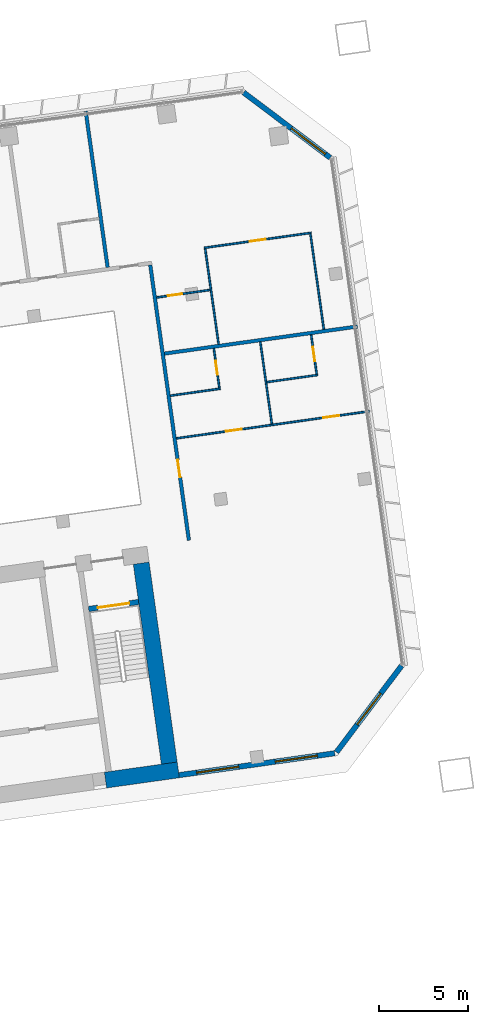
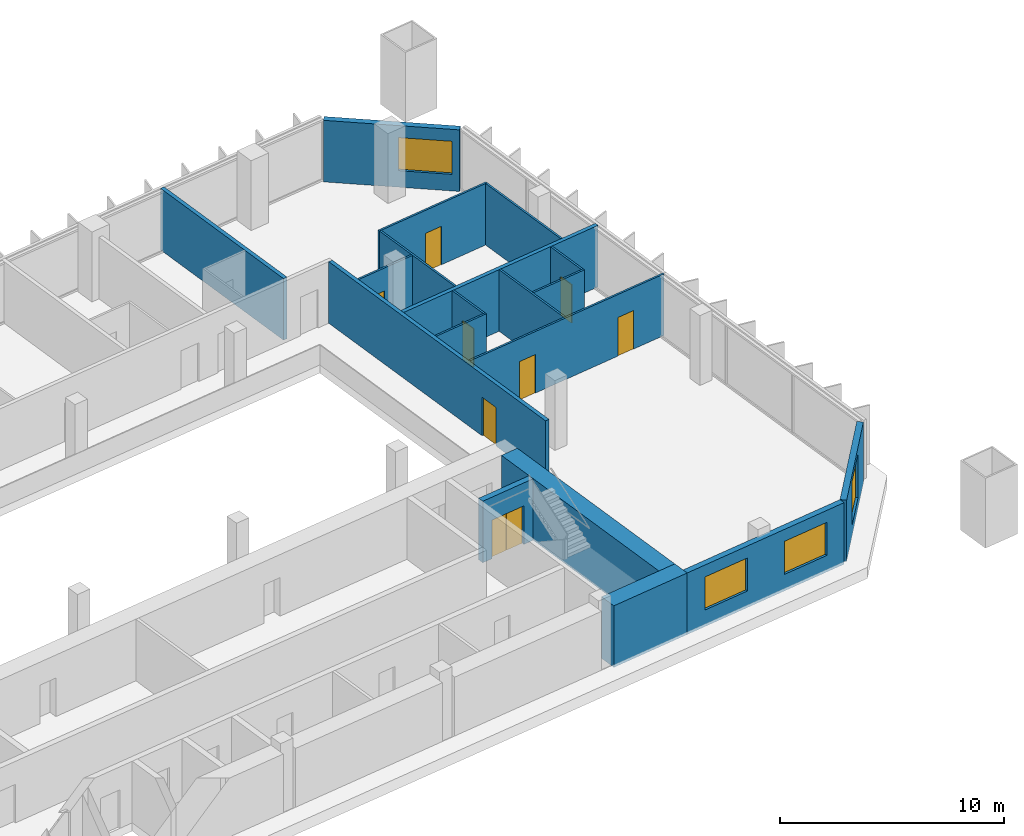
# One storey, part 21 of 24: 19 walls, 8 doors, 4 windows, 12 openings.
"""IFC4 building model written with IfcOpenShell, lengths in metres."""

from ifc_helpers import new_model, si_unit, direction, frame, frame_2d, origin, place, context, subcontext, project, spatial, rectangle, extrude, material, layer, layer_set, type_object, element, fill, save


model = new_model("IFC4")

# Units and contexts
model_context = context("Model", 3, precision=1e-05, world=origin(), true_north=direction((0.0, 1.0)))
body_context = subcontext(model_context, "Body", "Model", "MODEL_VIEW")
ifc_project = project(units=[si_unit("LENGTHUNIT", "METRE"), si_unit("AREAUNIT", "SQUARE_METRE"), si_unit("VOLUMEUNIT", "CUBIC_METRE"), si_unit("PLANEANGLEUNIT", "RADIAN"), si_unit("MASSUNIT", "GRAM", prefix="KILO")], contexts=[model_context])

# Site, building, storey
site_placement = place(None, origin())
site = spatial("IfcSite", under=ifc_project, at=site_placement, CompositionType="ELEMENT")
building_placement = place(site_placement, origin())
building = spatial("IfcBuilding", under=site, at=building_placement, Name="Mirante Cascada Hotel Towers", CompositionType="ELEMENT")
storey_placement = place(building_placement, frame((0.0, 0.0, 85.1)))
storey = spatial("IfcBuildingStorey", under=building, at=storey_placement, Name="L18", CompositionType="ELEMENT", Elevation=85.1)

# Walls
ifc_material_1 = material(Name="Fire-rated plasterboard on metal studs")
ifc_layer_1 = layer(ifc_material_1, 0.2)
ifc_layer_set_1 = layer_set([ifc_layer_1], Name="Compartment wall 200 EI 120")
wall_type_1 = type_object("IfcWallType", Name="Compartment wall 200 EI 120", PredefinedType="PARTITIONING", material=ifc_layer_set_1)
wall_1_placement = place(storey_placement, frame((89.7337, 11.2758, 0.0), z_axis=(0.0, 0.0, 1.0), x_axis=(0.990268, 0.1391733, 0.0)))
element("IfcWall", 1, at=wall_1_placement, inside=storey, type_object=wall_type_1, Name="Wall 2-L18-09", PredefinedType="PARTITIONING", context=body_context, shape_type="SweptSolid", body=[
    extrude(rectangle(XDim=11.0, YDim=0.2, at=frame_2d((5.5, 0.0))), origin(), (0.0, 0.0, 1.0), 3.35),
])
wall_2_placement = place(storey_placement, frame((85.2864, 24.9567, 0.0), z_axis=(0.0, 0.0, 1.0), x_axis=(0.1391684, -0.9902687, 0.0)))
element("IfcWall", 2, at=wall_2_placement, inside=storey, type_object=wall_type_1, Name="Wall 2-L18-48", PredefinedType="PARTITIONING", context=body_context, shape_type="SweptSolid", body=[
    extrude(rectangle(XDim=8.9, YDim=0.2, at=frame_2d((4.45, 0.0))), origin(), (0.0, 0.0, 1.0), 3.35),
])

# Wall, opening, door
wall_3_placement = place(storey_placement, frame((91.1145, 0.7321, 0.0), z_axis=(0.0, 0.0, 1.0), x_axis=(-0.1391721, 0.9902682, 0.0)))
wall_3 = element("IfcWall", 3, at=wall_3_placement, inside=storey, type_object=wall_type_1, Name="Wall 2-L18-49", PredefinedType="PARTITIONING", context=body_context, shape_type="SweptSolid", body=[
    extrude(rectangle(XDim=15.7, YDim=0.2, at=frame_2d((7.85, 0.0))), origin(), (0.0, 0.0, 1.0), 3.35),
])
opening_1_placement = place(wall_3_placement, frame((3.6, 0.0, 0.0)))
opening_1 = element("IfcOpeningElement", 4, at=opening_1_placement, cuts=wall_3, Name="Opening D2-L18-31", PredefinedType="OPENING", context=body_context, shape_type="SweptSolid", body=[
    extrude(rectangle(XDim=1.0, YDim=2.1, at=frame_2d((0.5, 1.05))), frame((0.0, 0.1, 0.0), z_axis=(0.0, -1.0, 0.0), x_axis=(1.0, 0.0, 0.0)), (0.0, 0.0, 1.0), 0.2),
])
ifc_material_2 = material(Name="Fire-rated timber door leaf", Category="wood")
door_type_1 = type_object("IfcDoorType", Name="Entrance door DG1 1000x2100 EI 60", OperationType="SINGLE_SWING_LEFT", PredefinedType="DOOR", material=ifc_material_2)
door_1_placement = place(opening_1_placement, frame((1.0, 0.0, 0.0), z_axis=(0.0, 0.0, 1.0), x_axis=(-1.0, 0.0, 0.0)))
door_1 = element("IfcDoor", 5, at=door_1_placement, inside=storey, type_object=door_type_1, Name="Door D2-L18-31", OperationType="SINGLE_SWING_RIGHT", OverallHeight=2.1, OverallWidth=1.0, PredefinedType="DOOR", context=body_context, shape_type="SweptSolid", body=[
    extrude(rectangle(XDim=1.0, YDim=2.1, at=frame_2d((0.5, 1.05))), frame((0.0, 0.025, 0.0), z_axis=(0.0, -1.0, 0.0), x_axis=(1.0, 0.0, 0.0)), (0.0, 0.0, 1.0), 0.05),
])
fill(opening_1, door_1)

# Wall, openings, doors
ifc_material_3 = material(Name="Plasterboard on metal studs")
ifc_layer_2 = layer(ifc_material_3, 0.1)
ifc_layer_set_2 = layer_set([ifc_layer_2], Name="Partition 100")
wall_type_2 = type_object("IfcWallType", Name="Partition 100", PredefinedType="PARTITIONING", material=ifc_layer_set_2)
wall_4_placement = place(storey_placement, frame((90.4064, 6.4896, 0.0), z_axis=(0.0, 0.0, 1.0), x_axis=(0.990268, 0.1391733, 0.0)))
wall_4 = element("IfcWall", 6, at=wall_4_placement, inside=storey, type_object=wall_type_2, Name="Wall 2-L18-05", PredefinedType="PARTITIONING", context=body_context, shape_type="SweptSolid", body=[
    extrude(rectangle(XDim=11.0, YDim=0.1, at=frame_2d((5.5, 0.0))), origin(), (0.0, 0.0, 1.0), 3.35),
])
opening_2_placement = place(wall_4_placement, frame((2.825, 0.0, 0.0)))
opening_2 = element("IfcOpeningElement", 7, at=opening_2_placement, cuts=wall_4, Name="Opening D2-L18-03", PredefinedType="OPENING", context=body_context, shape_type="SweptSolid", body=[
    extrude(rectangle(XDim=0.9, YDim=2.1, at=frame_2d((0.45, 1.05))), frame((0.0, 0.05, 0.0), z_axis=(0.0, -1.0, 0.0), x_axis=(1.0, 0.0, 0.0)), (0.0, 0.0, 1.0), 0.1),
])
opening_3_placement = place(wall_4_placement, frame((8.375, 0.0, 0.0)))
opening_3 = element("IfcOpeningElement", 8, at=opening_3_placement, cuts=wall_4, Name="Opening D2-L18-04", PredefinedType="OPENING", context=body_context, shape_type="SweptSolid", body=[
    extrude(rectangle(XDim=0.9, YDim=2.1, at=frame_2d((0.45, 1.05))), frame((0.0, 0.05, 0.0), z_axis=(0.0, -1.0, 0.0), x_axis=(1.0, 0.0, 0.0)), (0.0, 0.0, 1.0), 0.1),
])
ifc_material_4 = material(Name="Timber door leaf", Category="wood")
door_type_2 = type_object("IfcDoorType", Name="Room door DG3 900x2100", OperationType="SINGLE_SWING_LEFT", PredefinedType="DOOR", material=ifc_material_4)
door_2_placement = place(opening_2_placement, frame((0.9, 0.0, 0.0), z_axis=(0.0, 0.0, 1.0), x_axis=(-1.0, 0.0, 0.0)))
door_2 = element("IfcDoor", 9, at=door_2_placement, inside=storey, type_object=door_type_2, Name="Door D2-L18-03", OperationType="SINGLE_SWING_RIGHT", OverallHeight=2.1, OverallWidth=0.9, PredefinedType="DOOR", context=body_context, shape_type="SweptSolid", body=[
    extrude(rectangle(XDim=0.9, YDim=2.1, at=frame_2d((0.45, 1.05))), frame((0.0, 0.025, 0.0), z_axis=(0.0, -1.0, 0.0), x_axis=(1.0, 0.0, 0.0)), (0.0, 0.0, 1.0), 0.05),
])
fill(opening_2, door_2)
door_3_placement = place(opening_3_placement, frame((0.9, 0.0, 0.0), z_axis=(0.0, 0.0, 1.0), x_axis=(-1.0, 0.0, 0.0)))
door_3 = element("IfcDoor", 10, at=door_3_placement, inside=storey, type_object=door_type_2, Name="Door D2-L18-04", OperationType="SINGLE_SWING_RIGHT", OverallHeight=2.1, OverallWidth=0.9, PredefinedType="DOOR", context=body_context, shape_type="SweptSolid", body=[
    extrude(rectangle(XDim=0.9, YDim=2.1, at=frame_2d((0.45, 1.05))), frame((0.0, 0.025, 0.0), z_axis=(0.0, -1.0, 0.0), x_axis=(1.0, 0.0, 0.0)), (0.0, 0.0, 1.0), 0.05),
])
fill(opening_3, door_3)

# Walls
wall_5_placement = place(storey_placement, frame((92.89, 9.2958, 0.0), z_axis=(0.0, 0.0, 1.0), x_axis=(-0.9902704, -0.1391564, 0.0)))
element("IfcWall", 11, at=wall_5_placement, inside=storey, type_object=wall_type_2, Name="Wall 2-L18-06", PredefinedType="PARTITIONING", context=body_context, shape_type="SweptSolid", body=[
    extrude(rectangle(XDim=2.85, YDim=0.1, at=frame_2d((1.425, 0.0))), origin(), (0.0, 0.0, 1.0), 3.35),
])
wall_6_placement = place(storey_placement, frame((95.5142, 9.6646, 0.0), z_axis=(0.0, 0.0, 1.0), x_axis=(0.9902683, 0.1391714, 0.0)))
element("IfcWall", 12, at=wall_6_placement, inside=storey, type_object=wall_type_2, Name="Wall 2-L18-07", PredefinedType="PARTITIONING", context=body_context, shape_type="SweptSolid", body=[
    extrude(rectangle(XDim=2.9, YDim=0.1, at=frame_2d((1.45, 0.0))), origin(), (0.0, 0.0, 1.0), 3.35),
])

# Wall, opening, door
wall_7_placement = place(storey_placement, frame((92.3087, 14.8692, 0.0), z_axis=(0.0, 0.0, 1.0), x_axis=(-0.9902676, -0.1391765, 0.0)))
wall_7 = element("IfcWall", 13, at=wall_7_placement, inside=storey, type_object=wall_type_2, Name="Wall 2-L18-12", PredefinedType="PARTITIONING", context=body_context, shape_type="SweptSolid", body=[
    extrude(rectangle(XDim=3.0501, YDim=0.1, at=frame_2d((1.525, 0.0))), origin(), (0.0, 0.0, 1.0), 3.35),
])
opening_4_placement = place(wall_7_placement, frame((1.6, 0.0, 0.0)))
opening_4 = element("IfcOpeningElement", 14, at=opening_4_placement, cuts=wall_7, Name="Opening D2-L18-05", PredefinedType="OPENING", context=body_context, shape_type="SweptSolid", body=[
    extrude(rectangle(XDim=0.8, YDim=2.1, at=frame_2d((0.4, 1.05))), frame((0.0, 0.05, 0.0), z_axis=(0.0, -1.0, 0.0), x_axis=(1.0, 0.0, 0.0)), (0.0, 0.0, 1.0), 0.1),
])
ifc_material_5 = material(Name="Timber door leaf", Category="wood")
door_type_3 = type_object("IfcDoorType", Name="Bathroom door DG4 800x2100", OperationType="SINGLE_SWING_LEFT", PredefinedType="DOOR", material=ifc_material_5)
door_4_placement = place(opening_4_placement, frame((0.8, 0.0, 0.0), z_axis=(0.0, 0.0, 1.0), x_axis=(-1.0, 0.0, 0.0)))
door_4 = element("IfcDoor", 15, at=door_4_placement, inside=storey, type_object=door_type_3, Name="Door D2-L18-05", OperationType="SINGLE_SWING_RIGHT", OverallHeight=2.1, OverallWidth=0.8, PredefinedType="DOOR", context=body_context, shape_type="SweptSolid", body=[
    extrude(rectangle(XDim=0.8, YDim=2.1, at=frame_2d((0.4, 1.05))), frame((0.0, 0.025, 0.0), z_axis=(0.0, -1.0, 0.0), x_axis=(1.0, 0.0, 0.0)), (0.0, 0.0, 1.0), 0.05),
])
fill(opening_4, door_4)

wall_8_placement = place(storey_placement, frame((91.9746, 17.2458, 0.0), z_axis=(0.0, 0.0, 1.0), x_axis=(0.9902673, 0.1391787, 0.0)))
wall_8 = element("IfcWall", 16, at=wall_8_placement, inside=storey, type_object=wall_type_2, Name="Wall 2-L18-15", PredefinedType="PARTITIONING", context=body_context, shape_type="SweptSolid", body=[
    extrude(rectangle(XDim=6.1001, YDim=0.1, at=frame_2d((3.05, 0.0))), origin(), (0.0, 0.0, 1.0), 3.35),
])
opening_5_placement = place(wall_8_placement, frame((2.6, 0.0, 0.0)))
opening_5 = element("IfcOpeningElement", 17, at=opening_5_placement, cuts=wall_8, Name="Opening D2-L18-17", PredefinedType="OPENING", context=body_context, shape_type="SweptSolid", body=[
    extrude(rectangle(XDim=0.9, YDim=2.1, at=frame_2d((0.45, 1.05))), frame((0.0, 0.05, 0.0), z_axis=(0.0, -1.0, 0.0), x_axis=(1.0, 0.0, 0.0)), (0.0, 0.0, 1.0), 0.1),
])
door_5_placement = place(opening_5_placement, origin())
door_5 = element("IfcDoor", 18, at=door_5_placement, inside=storey, type_object=door_type_2, Name="Door D2-L18-17", OperationType="SINGLE_SWING_LEFT", OverallHeight=2.1, OverallWidth=0.9, PredefinedType="DOOR", context=body_context, shape_type="SweptSolid", body=[
    extrude(rectangle(XDim=0.9, YDim=2.1, at=frame_2d((0.45, 1.05))), frame((0.0, 0.025, 0.0), z_axis=(0.0, -1.0, 0.0), x_axis=(1.0, 0.0, 0.0)), (0.0, 0.0, 1.0), 0.05),
])
fill(opening_5, door_5)

wall_9_placement = place(storey_placement, frame((92.5204, 11.5665, 0.0), z_axis=(0.0, 0.0, 1.0), x_axis=(0.1391561, -0.9902705, 0.0)))
wall_9 = element("IfcWall", 19, at=wall_9_placement, inside=storey, type_object=wall_type_2, Name="Wall 2-L18-50", PredefinedType="PARTITIONING", context=body_context, shape_type="SweptSolid", body=[
    extrude(rectangle(XDim=2.25, YDim=0.1, at=frame_2d((1.125, 0.0))), origin(), (0.0, 0.0, 1.0), 3.35),
])
opening_6_placement = place(wall_9_placement, frame((0.7, 0.0, 0.0)))
opening_6 = element("IfcOpeningElement", 20, at=opening_6_placement, cuts=wall_9, Name="Opening D2-L18-32", PredefinedType="OPENING", context=body_context, shape_type="SweptSolid", body=[
    extrude(rectangle(XDim=0.8, YDim=2.1, at=frame_2d((0.4, 1.05))), frame((0.0, 0.05, 0.0), z_axis=(0.0, -1.0, 0.0), x_axis=(1.0, 0.0, 0.0)), (0.0, 0.0, 1.0), 0.1),
])
door_6_placement = place(opening_6_placement, frame((0.8, 0.0, 0.0), z_axis=(0.0, 0.0, 1.0), x_axis=(-1.0, 0.0, 0.0)))
door_6 = element("IfcDoor", 21, at=door_6_placement, inside=storey, type_object=door_type_3, Name="Door D2-L18-32", OperationType="SINGLE_SWING_RIGHT", OverallHeight=2.1, OverallWidth=0.8, PredefinedType="DOOR", context=body_context, shape_type="SweptSolid", body=[
    extrude(rectangle(XDim=0.8, YDim=2.1, at=frame_2d((0.4, 1.05))), frame((0.0, 0.025, 0.0), z_axis=(0.0, -1.0, 0.0), x_axis=(1.0, 0.0, 0.0)), (0.0, 0.0, 1.0), 0.05),
])
fill(opening_6, door_6)

# Walls
wall_10_placement = place(storey_placement, frame((92.7896, 11.8063, 0.0), z_axis=(0.0, 0.0, 1.0), x_axis=(-0.1391758, 0.9902677, 0.0)))
element("IfcWall", 22, at=wall_10_placement, inside=storey, type_object=wall_type_2, Name="Wall 2-L18-51", PredefinedType="PARTITIONING", context=body_context, shape_type="SweptSolid", body=[
    extrude(rectangle(XDim=5.4499, YDim=0.1, at=frame_2d((2.725, 0.0))), origin(), (0.0, 0.0, 1.0), 3.35),
])
wall_11_placement = place(storey_placement, frame((95.1446, 11.9353, 0.0), z_axis=(0.0, 0.0, 1.0), x_axis=(0.139176, -0.9902677, 0.0)))
element("IfcWall", 23, at=wall_11_placement, inside=storey, type_object=wall_type_2, Name="Wall 2-L18-52", PredefinedType="PARTITIONING", context=body_context, shape_type="SweptSolid", body=[
    extrude(rectangle(XDim=4.6833, YDim=0.1, at=frame_2d((2.3416, 0.0))), origin(), (0.0, 0.0, 1.0), 3.35),
])

# Wall, opening, door
wall_12_placement = place(storey_placement, frame((98.3295, 10.1108, 0.0), z_axis=(0.0, 0.0, 1.0), x_axis=(-0.1391997, 0.9902643, 0.0)))
wall_12 = element("IfcWall", 24, at=wall_12_placement, inside=storey, type_object=wall_type_2, Name="Wall 2-L18-53", PredefinedType="PARTITIONING", context=body_context, shape_type="SweptSolid", body=[
    extrude(rectangle(XDim=2.25, YDim=0.1, at=frame_2d((1.125, 0.0))), origin(), (0.0, 0.0, 1.0), 3.35),
])
opening_7_placement = place(wall_12_placement, frame((0.75, 0.0, 0.0)))
opening_7 = element("IfcOpeningElement", 25, at=opening_7_placement, cuts=wall_12, Name="Opening D2-L18-33", PredefinedType="OPENING", context=body_context, shape_type="SweptSolid", body=[
    extrude(rectangle(XDim=0.8, YDim=2.1, at=frame_2d((0.4, 1.05))), frame((0.0, 0.05, 0.0), z_axis=(0.0, -1.0, 0.0), x_axis=(1.0, 0.0, 0.0)), (0.0, 0.0, 1.0), 0.1),
])
door_7_placement = place(opening_7_placement, origin())
door_7 = element("IfcDoor", 26, at=door_7_placement, inside=storey, type_object=door_type_3, Name="Door D2-L18-33", OperationType="SINGLE_SWING_LEFT", OverallHeight=2.1, OverallWidth=0.8, PredefinedType="DOOR", context=body_context, shape_type="SweptSolid", body=[
    extrude(rectangle(XDim=0.8, YDim=2.1, at=frame_2d((0.4, 1.05))), frame((0.0, 0.025, 0.0), z_axis=(0.0, -1.0, 0.0), x_axis=(1.0, 0.0, 0.0)), (0.0, 0.0, 1.0), 0.05),
])
fill(opening_7, door_7)

# Wall
wall_13_placement = place(storey_placement, frame((97.9727, 18.0383, 0.0), z_axis=(0.0, 0.0, 1.0), x_axis=(0.1391733, -0.990268, 0.0)))
element("IfcWall", 27, at=wall_13_placement, inside=storey, type_object=wall_type_2, Name="Wall 2-L18-54", PredefinedType="PARTITIONING", context=body_context, shape_type="SweptSolid", body=[
    extrude(rectangle(XDim=5.45, YDim=0.1, at=frame_2d((2.725, 0.0))), origin(), (0.0, 0.0, 1.0), 3.35),
])

# Wall, openings, windows
ifc_material_6 = material(Name="Precast concrete C40/50", Category="concrete")
ifc_layer_3 = layer(ifc_material_6, 0.3)
ifc_layer_set_3 = layer_set([ifc_layer_3], Name="Precast concrete C40/50 cladding wall 300")
wall_type_3 = type_object("IfcWallType", Name="Precast concrete C40/50 cladding wall 300", PredefinedType="STANDARD", material=ifc_layer_set_3)
wall_14_placement = place(storey_placement, frame((90.5541, -12.5249, 0.0), z_axis=(0.0, 0.0, 1.0), x_axis=(0.9902676, 0.1391765, 0.0)))
wall_14 = element("IfcWall", 28, at=wall_14_placement, inside=storey, type_object=wall_type_3, Name="Rear cladding wall T2 L18 1", PredefinedType="STANDARD", context=body_context, shape_type="SweptSolid", body=[
    extrude(rectangle(XDim=8.8758, YDim=0.3, at=frame_2d((4.4379, 0.0))), origin(), (0.0, 0.0, 1.0), 3.35),
])
opening_8_placement = place(wall_14_placement, frame((1.0012, 0.0, 0.9)))
opening_8 = element("IfcOpeningElement", 29, at=opening_8_placement, cuts=wall_14, Name="Opening W2-18-01", PredefinedType="OPENING", context=body_context, shape_type="SweptSolid", body=[
    extrude(rectangle(XDim=2.4, YDim=1.8, at=frame_2d((1.2, 0.9))), frame((0.0, 0.15, 0.0), z_axis=(0.0, -1.0, 0.0), x_axis=(1.0, 0.0, 0.0)), (0.0, 0.0, 1.0), 0.3),
])
opening_9_placement = place(wall_14_placement, frame((5.4923, 0.0, 0.9)))
opening_9 = element("IfcOpeningElement", 30, at=opening_9_placement, cuts=wall_14, Name="Opening W2-18-02", PredefinedType="OPENING", context=body_context, shape_type="SweptSolid", body=[
    extrude(rectangle(XDim=2.4, YDim=1.8, at=frame_2d((1.2, 0.9))), frame((0.0, 0.15, 0.0), z_axis=(0.0, -1.0, 0.0), x_axis=(1.0, 0.0, 0.0)), (0.0, 0.0, 1.0), 0.3),
])
ifc_material_7 = material(Name="Aluminium frame with clear double glazing", Category="aluminium")
window_type_1 = type_object("IfcWindowType", Name="Punched window 2400x1800", PartitioningType="DOUBLE_PANEL_VERTICAL", PredefinedType="WINDOW", material=ifc_material_7)
window_1_placement = place(opening_8_placement, origin())
window_1 = element("IfcWindow", 31, at=window_1_placement, inside=storey, type_object=window_type_1, Name="Window W2-18-01", OverallHeight=1.8, OverallWidth=2.4, PartitioningType="SINGLE_PANEL", PredefinedType="WINDOW", context=body_context, shape_type="SweptSolid", body=[
    extrude(rectangle(XDim=2.4, YDim=1.8, at=frame_2d((1.2, 0.9))), frame((0.0, 0.03, 0.0), z_axis=(0.0, -1.0, 0.0), x_axis=(1.0, 0.0, 0.0)), (0.0, 0.0, 1.0), 0.06),
])
fill(opening_8, window_1)
window_2_placement = place(opening_9_placement, origin())
window_2 = element("IfcWindow", 32, at=window_2_placement, inside=storey, type_object=window_type_1, Name="Window W2-18-02", OverallHeight=1.8, OverallWidth=2.4, PartitioningType="SINGLE_PANEL", PredefinedType="WINDOW", context=body_context, shape_type="SweptSolid", body=[
    extrude(rectangle(XDim=2.4, YDim=1.8, at=frame_2d((1.2, 0.9))), frame((0.0, 0.03, 0.0), z_axis=(0.0, -1.0, 0.0), x_axis=(1.0, 0.0, 0.0)), (0.0, 0.0, 1.0), 0.06),
])
fill(opening_9, window_2)

# Wall, opening, window
wall_15_placement = place(storey_placement, frame((99.4424, -11.2313, 0.0), z_axis=(0.0, 0.0, 1.0), x_axis=(0.6018194, 0.7986322, 0.0)))
wall_15 = element("IfcWall", 33, at=wall_15_placement, inside=storey, type_object=wall_type_3, Name="Corner cladding wall T2 L18 rear outer", PredefinedType="STANDARD", context=body_context, shape_type="SweptSolid", body=[
    extrude(rectangle(XDim=6.1155, YDim=0.3, at=frame_2d((3.0578, 0.0))), origin(), (0.0, 0.0, 1.0), 3.35),
])
opening_10_placement = place(wall_15_placement, frame((1.9576, 0.0, 0.6)))
opening_10 = element("IfcOpeningElement", 34, at=opening_10_placement, cuts=wall_15, Name="Opening W2-18-03", PredefinedType="OPENING", context=body_context, shape_type="SweptSolid", body=[
    extrude(rectangle(XDim=2.2, YDim=2.4, at=frame_2d((1.1, 1.2))), frame((0.0, 0.15, 0.0), z_axis=(0.0, -1.0, 0.0), x_axis=(1.0, 0.0, 0.0)), (0.0, 0.0, 1.0), 0.3),
])
ifc_material_8 = material(Name="Aluminium frame with clear double glazing", Category="aluminium")
window_type_2 = type_object("IfcWindowType", Name="Corner suite window 2200x2400", PartitioningType="DOUBLE_PANEL_VERTICAL", PredefinedType="WINDOW", material=ifc_material_8)
window_3_placement = place(opening_10_placement, origin())
window_3 = element("IfcWindow", 35, at=window_3_placement, inside=storey, type_object=window_type_2, Name="Window W2-18-03", OverallHeight=2.4, OverallWidth=2.2, PartitioningType="SINGLE_PANEL", PredefinedType="WINDOW", context=body_context, shape_type="SweptSolid", body=[
    extrude(rectangle(XDim=2.2, YDim=2.4, at=frame_2d((1.1, 1.2))), frame((0.0, 0.03, 0.0), z_axis=(0.0, -1.0, 0.0), x_axis=(1.0, 0.0, 0.0)), (0.0, 0.0, 1.0), 0.06),
])
fill(opening_10, window_3)

wall_16_placement = place(storey_placement, frame((99.0919, 22.3343, 0.0), z_axis=(0.0, 0.0, 1.0), x_axis=(-0.7986362, 0.6018141, 0.0)))
wall_16 = element("IfcWall", 36, at=wall_16_placement, inside=storey, type_object=wall_type_3, Name="Corner cladding wall T2 L18 outer front", PredefinedType="STANDARD", context=body_context, shape_type="SweptSolid", body=[
    extrude(rectangle(XDim=6.1157, YDim=0.3, at=frame_2d((3.0578, 0.0))), origin(), (0.0, 0.0, 1.0), 3.35),
])
opening_11_placement = place(wall_16_placement, frame((0.35, 0.0, 0.9)))
opening_11 = element("IfcOpeningElement", 37, at=opening_11_placement, cuts=wall_16, Name="Opening W2-18-06", PredefinedType="OPENING", context=body_context, shape_type="SweptSolid", body=[
    extrude(rectangle(XDim=2.4, YDim=1.8, at=frame_2d((1.2, 0.9))), frame((0.0, 0.15, 0.0), z_axis=(0.0, -1.0, 0.0), x_axis=(1.0, 0.0, 0.0)), (0.0, 0.0, 1.0), 0.3),
])
window_4_placement = place(opening_11_placement, origin())
window_4 = element("IfcWindow", 38, at=window_4_placement, inside=storey, type_object=window_type_1, Name="Window W2-18-06", OverallHeight=1.8, OverallWidth=2.4, PartitioningType="SINGLE_PANEL", PredefinedType="WINDOW", context=body_context, shape_type="SweptSolid", body=[
    extrude(rectangle(XDim=2.4, YDim=1.8, at=frame_2d((1.2, 0.9))), frame((0.0, 0.03, 0.0), z_axis=(0.0, -1.0, 0.0), x_axis=(1.0, 0.0, 0.0)), (0.0, 0.0, 1.0), 0.06),
])
fill(opening_11, window_4)

# Wall, opening, door
ifc_material_9 = material(Name="Concrete C50/60", Category="concrete")
ifc_layer_4 = layer(ifc_material_9, 0.3)
ifc_layer_set_4 = layer_set([ifc_layer_4], Name="RC core wall 300 C50/60")
wall_type_4 = type_object("IfcWallType", Name="RC core wall 300 C50/60", PredefinedType="SHEAR", material=ifc_layer_set_4)
wall_17_placement = place(storey_placement, frame((85.4489, -3.1441, 0.0), z_axis=(0.0, 0.0, 1.0), x_axis=(0.9902697, 0.1391613, 0.0)))
wall_17 = element("IfcWall", 39, at=wall_17_placement, inside=storey, type_object=wall_type_4, Name="Core wall T2:L18:11", PredefinedType="SHEAR", context=body_context, shape_type="SweptSolid", body=[
    extrude(rectangle(XDim=2.8499, YDim=0.3, at=frame_2d((1.425, 0.0))), origin(), (0.0, 0.0, 1.0), 3.35),
])
opening_12_placement = place(wall_17_placement, frame((0.525, 0.0, 0.0)))
opening_12 = element("IfcOpeningElement", 40, at=opening_12_placement, cuts=wall_17, Name="Opening D2-18-C17", PredefinedType="OPENING", context=body_context, shape_type="SweptSolid", body=[
    extrude(rectangle(XDim=1.8, YDim=2.1, at=frame_2d((0.9, 1.05))), frame((0.0, 0.15, 0.0), z_axis=(0.0, -1.0, 0.0), x_axis=(1.0, 0.0, 0.0)), (0.0, 0.0, 1.0), 0.3),
])
ifc_material_10 = material(Name="Hollow metal fire door leaf")
door_type_4 = type_object("IfcDoorType", Name="Double fire door 1800x2100 FD60", OperationType="DOUBLE_DOOR_SINGLE_SWING", PredefinedType="DOOR", material=ifc_material_10)
door_8_placement = place(opening_12_placement, frame((1.8, 0.0, 0.0), z_axis=(0.0, 0.0, 1.0), x_axis=(-1.0, 0.0, 0.0)))
door_8 = element("IfcDoor", 41, at=door_8_placement, inside=storey, type_object=door_type_4, Name="Stair door T2 L18 17", OperationType="DOUBLE_DOOR_SINGLE_SWING", OverallHeight=2.1, OverallWidth=1.8, PredefinedType="DOOR", context=body_context, shape_type="SweptSolid", body=[
    extrude(rectangle(XDim=0.895, YDim=2.1, at=frame_2d((0.4475, 1.05))), frame((0.0, 0.025, 0.0), z_axis=(0.0, -1.0, 0.0), x_axis=(1.0, 0.0, 0.0)), (0.0, 0.0, 1.0), 0.05),
    extrude(rectangle(XDim=0.895, YDim=2.1, at=frame_2d((1.3525, 1.05))), frame((0.0, 0.025, 0.0), z_axis=(0.0, -1.0, 0.0), x_axis=(1.0, 0.0, 0.0)), (0.0, 0.0, 1.0), 0.05),
])
fill(opening_12, door_8)

# Walls
ifc_material_11 = material(Name="Concrete C50/60", Category="concrete")
ifc_layer_5 = layer(ifc_material_11, 0.9)
ifc_layer_set_5 = layer_set([ifc_layer_5], Name="RC core wall 900 C50/60")
wall_type_5 = type_object("IfcWallType", Name="RC core wall 900 C50/60", PredefinedType="SHEAR", material=ifc_layer_set_5)
wall_18_placement = place(storey_placement, frame((86.4027, -12.8054, 0.0), z_axis=(0.0, 0.0, 1.0), x_axis=(0.990267, 0.139181, 0.0)))
element("IfcWall", 42, at=wall_18_placement, inside=storey, type_object=wall_type_5, Name="Core wall T2:L18:1.7", PredefinedType="SHEAR", context=body_context, shape_type="SweptSolid", body=[
    extrude(rectangle(XDim=4.15, YDim=0.9, at=frame_2d((2.075, 0.0))), origin(), (0.0, 0.0, 1.0), 3.35),
])
wall_19_placement = place(storey_placement, frame((90.0041, -11.8449, 0.0), z_axis=(0.0, 0.0, 1.0), x_axis=(-0.1391749, 0.9902678, 0.0)))
element("IfcWall", 43, at=wall_19_placement, inside=storey, type_object=wall_type_5, Name="Core wall T2:L18:4", PredefinedType="SHEAR", context=body_context, shape_type="SweptSolid", body=[
    extrude(rectangle(XDim=11.4, YDim=0.9, at=frame_2d((5.7, 0.0))), origin(), (0.0, 0.0, 1.0), 3.35),
])

save(model, "model.ifc")
